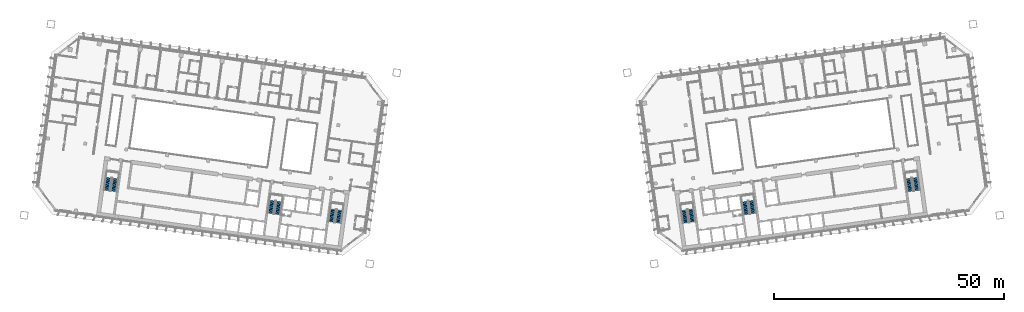
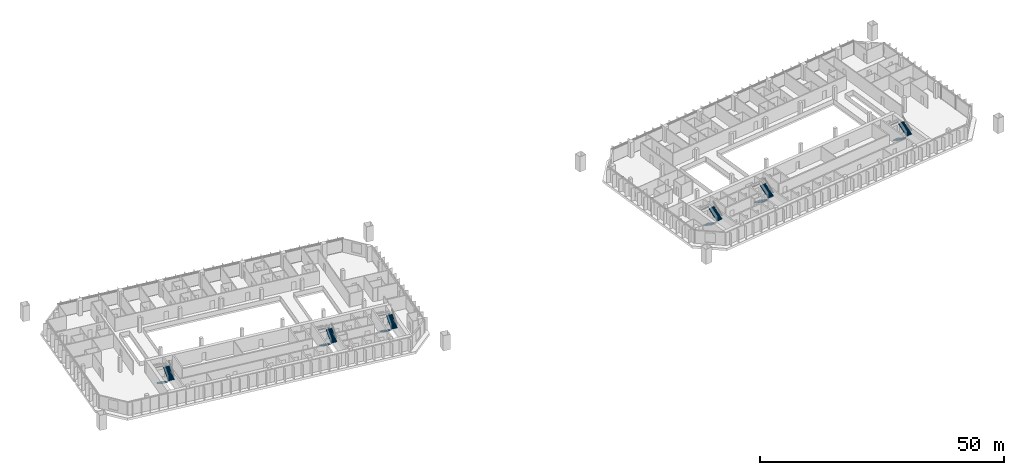
# One storey, part 23 of 26: 12 stair flights, 6 elements without a shape of their own.
"""IFC4 building model written with IfcOpenShell, lengths in metres."""

from ifc_helpers import new_model, si_unit, direction, frame, origin, place, context, subcontext, project, spatial, polyline, outline, extrude, material, type_object, element, aggregate, save


model = new_model("IFC4")

# Units and contexts
model_context = context("Model", 3, precision=1e-05, world=origin(), true_north=direction((0.0, 1.0)))
body_context = subcontext(model_context, "Body", "Model", "MODEL_VIEW")
ifc_project = project(units=[si_unit("LENGTHUNIT", "METRE"), si_unit("AREAUNIT", "SQUARE_METRE"), si_unit("VOLUMEUNIT", "CUBIC_METRE"), si_unit("PLANEANGLEUNIT", "RADIAN"), si_unit("MASSUNIT", "GRAM", prefix="KILO")], contexts=[model_context])

# Site, building, storey
site_placement = place(None, origin())
site = spatial("IfcSite", under=ifc_project, at=site_placement, CompositionType="ELEMENT")
building_placement = place(site_placement, origin())
building = spatial("IfcBuilding", under=site, at=building_placement, Name="Mirante Cascada Hotel Towers", CompositionType="ELEMENT")
storey_placement = place(building_placement, frame((0.0, 0.0, 140.5)))
storey = spatial("IfcBuildingStorey", under=building, at=storey_placement, Name="L32", CompositionType="ELEMENT", Elevation=140.5)

# Stair, stair flights
ifc_material_1 = material(Name="Concrete C35/45", Category="concrete")
stair_type = type_object("IfcStairType", Name="Exit stair half-turn 1350 concrete C35/45", PredefinedType="HALF_TURN_STAIR", material=ifc_material_1)
stair_1_placement = place(storey_placement, origin())
stair_1 = element("IfcStair", 1, at=stair_1_placement, inside=storey, type_object=stair_type, Name="L32 Exit stair A", PredefinedType="HALF_TURN_STAIR")
ifc_material_2 = material(Name="Concrete C35/45", Category="concrete")
stair_flight_type = type_object("IfcStairFlightType", Name="Exit stair flight 1350 concrete C35/45", PredefinedType="STRAIGHT", material=ifc_material_2)
stair_flight_1_placement = place(storey_placement, frame((-38.9417, -11.195, 0.0), z_axis=(0.0, 0.0, 1.0), x_axis=(-0.1391731, -0.9902681, 0.0)))
stair_flight_1 = element("IfcStairFlight", 2, at=stair_flight_1_placement, type_object=stair_flight_type, Name="ST1-A flight 1", NumberOfRisers=11, NumberOfTreads=10, PredefinedType="STRAIGHT", RiserHeight=0.172727273, TreadLength=0.28, context=body_context, shape_type="SweptSolid", body=[
    extrude(outline(polyline([(0.0, 0.0), (0.0, 0.1727), (0.28, 0.1727), (0.28, 0.3455), (0.56, 0.3455), (0.56, 0.5182), (0.84, 0.5182), (0.84, 0.6909), (1.12, 0.6909), (1.12, 0.8636), (1.4, 0.8636), (1.4, 1.0364), (1.68, 1.0364), (1.68, 1.2091), (1.96, 1.2091), (1.96, 1.3818), (2.24, 1.3818), (2.24, 1.5545), (2.52, 1.5545), (2.52, 1.7273), (2.8, 1.7273), (2.8, 1.9), (2.8, 1.551), (0.2857, 0.0), (0.0, 0.0)])), frame((0.0, 0.675, 0.0), z_axis=(0.0, -1.0, 0.0), x_axis=(1.0, 0.0, 0.0)), (0.0, 0.0, 1.0), 1.35),
])
stair_flight_2_placement = place(storey_placement, frame((-37.846, -14.1765, 1.9), z_axis=(0.0, 0.0, 1.0), x_axis=(0.1391731, 0.9902681, 0.0)))
stair_flight_2 = element("IfcStairFlight", 3, at=stair_flight_2_placement, type_object=stair_flight_type, Name="ST1-A flight 2", NumberOfRisers=11, NumberOfTreads=10, PredefinedType="STRAIGHT", RiserHeight=0.172727273, TreadLength=0.28, context=body_context, shape_type="SweptSolid", body=[
    extrude(outline(polyline([(0.0, 0.0), (0.0, 0.1727), (0.28, 0.1727), (0.28, 0.3455), (0.56, 0.3455), (0.56, 0.5182), (0.84, 0.5182), (0.84, 0.6909), (1.12, 0.6909), (1.12, 0.8636), (1.4, 0.8636), (1.4, 1.0364), (1.68, 1.0364), (1.68, 1.2091), (1.96, 1.2091), (1.96, 1.3818), (2.24, 1.3818), (2.24, 1.5545), (2.52, 1.5545), (2.52, 1.7273), (2.8, 1.7273), (2.8, 1.9), (2.8, 1.551), (0.2857, 0.0), (0.0, 0.0)])), frame((0.0, 0.675, 0.0), z_axis=(0.0, -1.0, 0.0), x_axis=(1.0, 0.0, 0.0)), (0.0, 0.0, 1.0), 1.35),
])
aggregate(stair_1, [stair_flight_1, stair_flight_2])

stair_2_placement = place(storey_placement, origin())
stair_2 = element("IfcStair", 4, at=stair_2_placement, inside=storey, type_object=stair_type, Name="L32 Exit stair B", PredefinedType="HALF_TURN_STAIR")
stair_flight_3_placement = place(storey_placement, frame((-52.1618, -9.3371, 0.0), z_axis=(0.0, 0.0, 1.0), x_axis=(-0.1391731, -0.9902681, 0.0)))
stair_flight_3 = element("IfcStairFlight", 5, at=stair_flight_3_placement, type_object=stair_flight_type, Name="ST1-B flight 1", NumberOfRisers=11, NumberOfTreads=10, PredefinedType="STRAIGHT", RiserHeight=0.172727273, TreadLength=0.28, context=body_context, shape_type="SweptSolid", body=[
    extrude(outline(polyline([(0.0, 0.0), (0.0, 0.1727), (0.28, 0.1727), (0.28, 0.3455), (0.56, 0.3455), (0.56, 0.5182), (0.84, 0.5182), (0.84, 0.6909), (1.12, 0.6909), (1.12, 0.8636), (1.4, 0.8636), (1.4, 1.0364), (1.68, 1.0364), (1.68, 1.2091), (1.96, 1.2091), (1.96, 1.3818), (2.24, 1.3818), (2.24, 1.5545), (2.52, 1.5545), (2.52, 1.7273), (2.8, 1.7273), (2.8, 1.9), (2.8, 1.551), (0.2857, 0.0), (0.0, 0.0)])), frame((0.0, 0.675, 0.0), z_axis=(0.0, -1.0, 0.0), x_axis=(1.0, 0.0, 0.0)), (0.0, 0.0, 1.0), 1.35),
])
stair_flight_4_placement = place(storey_placement, frame((-51.0661, -12.3186, 1.9), z_axis=(0.0, 0.0, 1.0), x_axis=(0.1391731, 0.9902681, 0.0)))
stair_flight_4 = element("IfcStairFlight", 6, at=stair_flight_4_placement, type_object=stair_flight_type, Name="ST1-B flight 2", NumberOfRisers=11, NumberOfTreads=10, PredefinedType="STRAIGHT", RiserHeight=0.172727273, TreadLength=0.28, context=body_context, shape_type="SweptSolid", body=[
    extrude(outline(polyline([(0.0, 0.0), (0.0, 0.1727), (0.28, 0.1727), (0.28, 0.3455), (0.56, 0.3455), (0.56, 0.5182), (0.84, 0.5182), (0.84, 0.6909), (1.12, 0.6909), (1.12, 0.8636), (1.4, 0.8636), (1.4, 1.0364), (1.68, 1.0364), (1.68, 1.2091), (1.96, 1.2091), (1.96, 1.3818), (2.24, 1.3818), (2.24, 1.5545), (2.52, 1.5545), (2.52, 1.7273), (2.8, 1.7273), (2.8, 1.9), (2.8, 1.551), (0.2857, 0.0), (0.0, 0.0)])), frame((0.0, 0.675, 0.0), z_axis=(0.0, -1.0, 0.0), x_axis=(1.0, 0.0, 0.0)), (0.0, 0.0, 1.0), 1.35),
])
aggregate(stair_2, [stair_flight_3, stair_flight_4])

stair_3_placement = place(storey_placement, origin())
stair_3 = element("IfcStair", 7, at=stair_3_placement, inside=storey, type_object=stair_type, Name="L32 Exit stair C", PredefinedType="HALF_TURN_STAIR")
stair_flight_5_placement = place(storey_placement, frame((-87.8115, -4.3268, 0.0), z_axis=(0.0, 0.0, 1.0), x_axis=(-0.1391731, -0.9902681, 0.0)))
stair_flight_5 = element("IfcStairFlight", 8, at=stair_flight_5_placement, type_object=stair_flight_type, Name="ST1-C flight 1", NumberOfRisers=11, NumberOfTreads=10, PredefinedType="STRAIGHT", RiserHeight=0.172727273, TreadLength=0.28, context=body_context, shape_type="SweptSolid", body=[
    extrude(outline(polyline([(0.0, 0.0), (0.0, 0.1727), (0.28, 0.1727), (0.28, 0.3455), (0.56, 0.3455), (0.56, 0.5182), (0.84, 0.5182), (0.84, 0.6909), (1.12, 0.6909), (1.12, 0.8636), (1.4, 0.8636), (1.4, 1.0364), (1.68, 1.0364), (1.68, 1.2091), (1.96, 1.2091), (1.96, 1.3818), (2.24, 1.3818), (2.24, 1.5545), (2.52, 1.5545), (2.52, 1.7273), (2.8, 1.7273), (2.8, 1.9), (2.8, 1.551), (0.2857, 0.0), (0.0, 0.0)])), frame((0.0, 0.675, 0.0), z_axis=(0.0, -1.0, 0.0), x_axis=(1.0, 0.0, 0.0)), (0.0, 0.0, 1.0), 1.35),
])
stair_flight_6_placement = place(storey_placement, frame((-86.7157, -7.3084, 1.9), z_axis=(0.0, 0.0, 1.0), x_axis=(0.1391731, 0.9902681, 0.0)))
stair_flight_6 = element("IfcStairFlight", 9, at=stair_flight_6_placement, type_object=stair_flight_type, Name="ST1-C flight 2", NumberOfRisers=11, NumberOfTreads=10, PredefinedType="STRAIGHT", RiserHeight=0.172727273, TreadLength=0.28, context=body_context, shape_type="SweptSolid", body=[
    extrude(outline(polyline([(0.0, 0.0), (0.0, 0.1727), (0.28, 0.1727), (0.28, 0.3455), (0.56, 0.3455), (0.56, 0.5182), (0.84, 0.5182), (0.84, 0.6909), (1.12, 0.6909), (1.12, 0.8636), (1.4, 0.8636), (1.4, 1.0364), (1.68, 1.0364), (1.68, 1.2091), (1.96, 1.2091), (1.96, 1.3818), (2.24, 1.3818), (2.24, 1.5545), (2.52, 1.5545), (2.52, 1.7273), (2.8, 1.7273), (2.8, 1.9), (2.8, 1.551), (0.2857, 0.0), (0.0, 0.0)])), frame((0.0, 0.675, 0.0), z_axis=(0.0, -1.0, 0.0), x_axis=(1.0, 0.0, 0.0)), (0.0, 0.0, 1.0), 1.35),
])
aggregate(stair_3, [stair_flight_5, stair_flight_6])

stair_4_placement = place(storey_placement, origin())
stair_4 = element("IfcStair", 10, at=stair_4_placement, inside=storey, type_object=stair_type, Name="L32 Exit stair A", PredefinedType="HALF_TURN_STAIR")
stair_flight_7_placement = place(storey_placement, frame((37.4563, -11.4038, 0.0), z_axis=(0.0, 0.0, 1.0), x_axis=(0.1391731, -0.9902681, 0.0)))
stair_flight_7 = element("IfcStairFlight", 11, at=stair_flight_7_placement, type_object=stair_flight_type, Name="ST2-A flight 1", NumberOfRisers=11, NumberOfTreads=10, PredefinedType="STRAIGHT", RiserHeight=0.172727273, TreadLength=0.28, context=body_context, shape_type="SweptSolid", body=[
    extrude(outline(polyline([(0.0, 0.0), (0.0, 0.1727), (0.28, 0.1727), (0.28, 0.3455), (0.56, 0.3455), (0.56, 0.5182), (0.84, 0.5182), (0.84, 0.6909), (1.12, 0.6909), (1.12, 0.8636), (1.4, 0.8636), (1.4, 1.0364), (1.68, 1.0364), (1.68, 1.2091), (1.96, 1.2091), (1.96, 1.3818), (2.24, 1.3818), (2.24, 1.5545), (2.52, 1.5545), (2.52, 1.7273), (2.8, 1.7273), (2.8, 1.9), (2.8, 1.551), (0.2857, 0.0), (0.0, 0.0)])), frame((0.0, 0.675, 0.0), z_axis=(0.0, -1.0, 0.0), x_axis=(1.0, 0.0, 0.0)), (0.0, 0.0, 1.0), 1.35),
])
stair_flight_8_placement = place(storey_placement, frame((39.3314, -13.9678, 1.9), z_axis=(0.0, 0.0, 1.0), x_axis=(-0.1391731, 0.9902681, 0.0)))
stair_flight_8 = element("IfcStairFlight", 12, at=stair_flight_8_placement, type_object=stair_flight_type, Name="ST2-A flight 2", NumberOfRisers=11, NumberOfTreads=10, PredefinedType="STRAIGHT", RiserHeight=0.172727273, TreadLength=0.28, context=body_context, shape_type="SweptSolid", body=[
    extrude(outline(polyline([(0.0, 0.0), (0.0, 0.1727), (0.28, 0.1727), (0.28, 0.3455), (0.56, 0.3455), (0.56, 0.5182), (0.84, 0.5182), (0.84, 0.6909), (1.12, 0.6909), (1.12, 0.8636), (1.4, 0.8636), (1.4, 1.0364), (1.68, 1.0364), (1.68, 1.2091), (1.96, 1.2091), (1.96, 1.3818), (2.24, 1.3818), (2.24, 1.5545), (2.52, 1.5545), (2.52, 1.7273), (2.8, 1.7273), (2.8, 1.9), (2.8, 1.551), (0.2857, 0.0), (0.0, 0.0)])), frame((0.0, 0.675, 0.0), z_axis=(0.0, -1.0, 0.0), x_axis=(1.0, 0.0, 0.0)), (0.0, 0.0, 1.0), 1.35),
])
aggregate(stair_4, [stair_flight_7, stair_flight_8])

stair_5_placement = place(storey_placement, origin())
stair_5 = element("IfcStair", 13, at=stair_5_placement, inside=storey, type_object=stair_type, Name="L32 Exit stair B", PredefinedType="HALF_TURN_STAIR")
stair_flight_9_placement = place(storey_placement, frame((50.6764, -9.5458, 0.0), z_axis=(0.0, 0.0, 1.0), x_axis=(0.1391731, -0.9902681, 0.0)))
stair_flight_9 = element("IfcStairFlight", 14, at=stair_flight_9_placement, type_object=stair_flight_type, Name="ST2-B flight 1", NumberOfRisers=11, NumberOfTreads=10, PredefinedType="STRAIGHT", RiserHeight=0.172727273, TreadLength=0.28, context=body_context, shape_type="SweptSolid", body=[
    extrude(outline(polyline([(0.0, 0.0), (0.0, 0.1727), (0.28, 0.1727), (0.28, 0.3455), (0.56, 0.3455), (0.56, 0.5182), (0.84, 0.5182), (0.84, 0.6909), (1.12, 0.6909), (1.12, 0.8636), (1.4, 0.8636), (1.4, 1.0364), (1.68, 1.0364), (1.68, 1.2091), (1.96, 1.2091), (1.96, 1.3818), (2.24, 1.3818), (2.24, 1.5545), (2.52, 1.5545), (2.52, 1.7273), (2.8, 1.7273), (2.8, 1.9), (2.8, 1.551), (0.2857, 0.0), (0.0, 0.0)])), frame((0.0, 0.675, 0.0), z_axis=(0.0, -1.0, 0.0), x_axis=(1.0, 0.0, 0.0)), (0.0, 0.0, 1.0), 1.35),
])
stair_flight_10_placement = place(storey_placement, frame((52.5515, -12.1098, 1.9), z_axis=(0.0, 0.0, 1.0), x_axis=(-0.1391731, 0.9902681, 0.0)))
stair_flight_10 = element("IfcStairFlight", 15, at=stair_flight_10_placement, type_object=stair_flight_type, Name="ST2-B flight 2", NumberOfRisers=11, NumberOfTreads=10, PredefinedType="STRAIGHT", RiserHeight=0.172727273, TreadLength=0.28, context=body_context, shape_type="SweptSolid", body=[
    extrude(outline(polyline([(0.0, 0.0), (0.0, 0.1727), (0.28, 0.1727), (0.28, 0.3455), (0.56, 0.3455), (0.56, 0.5182), (0.84, 0.5182), (0.84, 0.6909), (1.12, 0.6909), (1.12, 0.8636), (1.4, 0.8636), (1.4, 1.0364), (1.68, 1.0364), (1.68, 1.2091), (1.96, 1.2091), (1.96, 1.3818), (2.24, 1.3818), (2.24, 1.5545), (2.52, 1.5545), (2.52, 1.7273), (2.8, 1.7273), (2.8, 1.9), (2.8, 1.551), (0.2857, 0.0), (0.0, 0.0)])), frame((0.0, 0.675, 0.0), z_axis=(0.0, -1.0, 0.0), x_axis=(1.0, 0.0, 0.0)), (0.0, 0.0, 1.0), 1.35),
])
aggregate(stair_5, [stair_flight_9, stair_flight_10])

stair_6_placement = place(storey_placement, origin())
stair_6 = element("IfcStair", 16, at=stair_6_placement, inside=storey, type_object=stair_type, Name="L32 Exit stair C", PredefinedType="HALF_TURN_STAIR")
stair_flight_11_placement = place(storey_placement, frame((86.326, -4.5356, 0.0), z_axis=(0.0, 0.0, 1.0), x_axis=(0.1391731, -0.9902681, 0.0)))
stair_flight_11 = element("IfcStairFlight", 17, at=stair_flight_11_placement, type_object=stair_flight_type, Name="ST2-C flight 1", NumberOfRisers=11, NumberOfTreads=10, PredefinedType="STRAIGHT", RiserHeight=0.172727273, TreadLength=0.28, context=body_context, shape_type="SweptSolid", body=[
    extrude(outline(polyline([(0.0, 0.0), (0.0, 0.1727), (0.28, 0.1727), (0.28, 0.3455), (0.56, 0.3455), (0.56, 0.5182), (0.84, 0.5182), (0.84, 0.6909), (1.12, 0.6909), (1.12, 0.8636), (1.4, 0.8636), (1.4, 1.0364), (1.68, 1.0364), (1.68, 1.2091), (1.96, 1.2091), (1.96, 1.3818), (2.24, 1.3818), (2.24, 1.5545), (2.52, 1.5545), (2.52, 1.7273), (2.8, 1.7273), (2.8, 1.9), (2.8, 1.551), (0.2857, 0.0), (0.0, 0.0)])), frame((0.0, 0.675, 0.0), z_axis=(0.0, -1.0, 0.0), x_axis=(1.0, 0.0, 0.0)), (0.0, 0.0, 1.0), 1.35),
])
stair_flight_12_placement = place(storey_placement, frame((88.2011, -7.0996, 1.9), z_axis=(0.0, 0.0, 1.0), x_axis=(-0.1391731, 0.9902681, 0.0)))
stair_flight_12 = element("IfcStairFlight", 18, at=stair_flight_12_placement, type_object=stair_flight_type, Name="ST2-C flight 2", NumberOfRisers=11, NumberOfTreads=10, PredefinedType="STRAIGHT", RiserHeight=0.172727273, TreadLength=0.28, context=body_context, shape_type="SweptSolid", body=[
    extrude(outline(polyline([(0.0, 0.0), (0.0, 0.1727), (0.28, 0.1727), (0.28, 0.3455), (0.56, 0.3455), (0.56, 0.5182), (0.84, 0.5182), (0.84, 0.6909), (1.12, 0.6909), (1.12, 0.8636), (1.4, 0.8636), (1.4, 1.0364), (1.68, 1.0364), (1.68, 1.2091), (1.96, 1.2091), (1.96, 1.3818), (2.24, 1.3818), (2.24, 1.5545), (2.52, 1.5545), (2.52, 1.7273), (2.8, 1.7273), (2.8, 1.9), (2.8, 1.551), (0.2857, 0.0), (0.0, 0.0)])), frame((0.0, 0.675, 0.0), z_axis=(0.0, -1.0, 0.0), x_axis=(1.0, 0.0, 0.0)), (0.0, 0.0, 1.0), 1.35),
])
aggregate(stair_6, [stair_flight_11, stair_flight_12])

save(model, "model.ifc")
